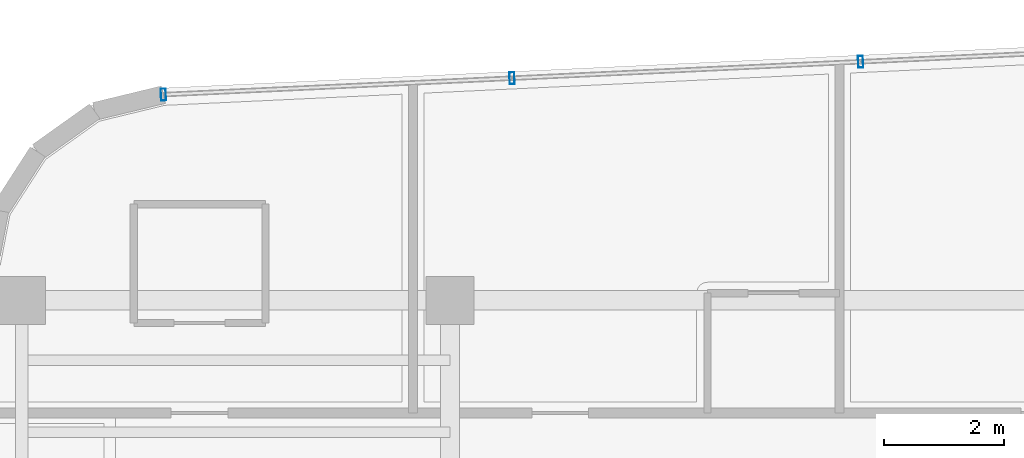
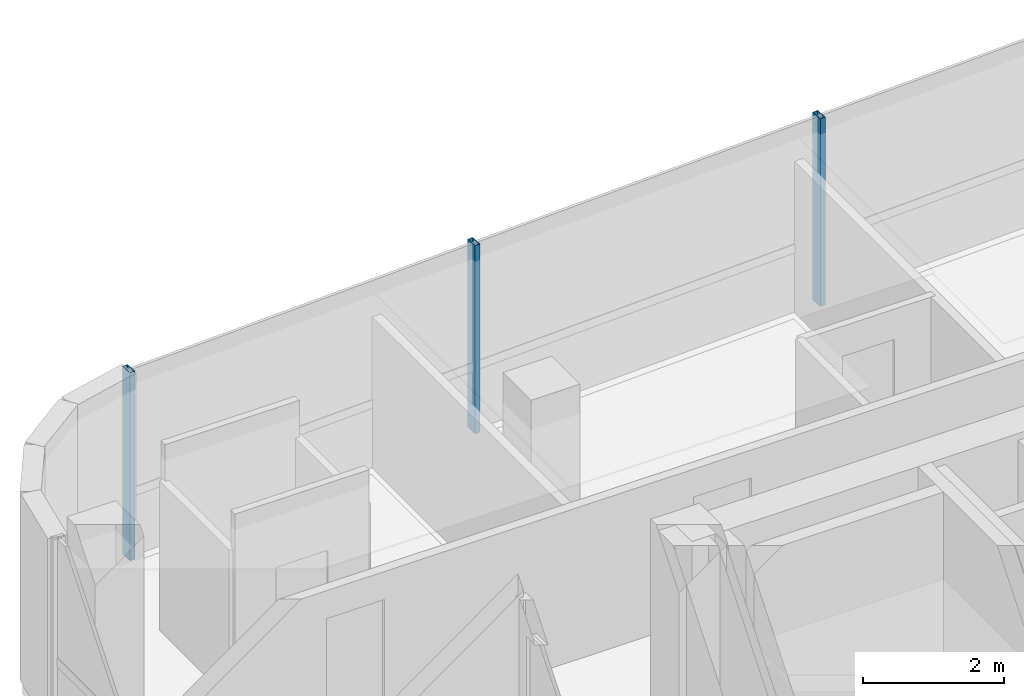
# One storey, part 10 of 19: 3 members, 1 element without a shape of its own.
"""IFC4 building model written with IfcOpenShell, lengths in metres."""

from ifc_helpers import new_model, si_unit, direction, frame, origin, origin_2d, place, context, subcontext, project, spatial, hollow_rectangle, extrude, source, transform, mapped, material, material_profile, profile_set, type_object, element, aggregate, save


model = new_model("IFC4")

# Units and contexts
model_context = context("Model", 3, precision=1e-05, world=origin(), true_north=direction((0.0, 1.0)))
body_context = subcontext(model_context, "Body", "Model", "MODEL_VIEW")
ifc_project = project(units=[si_unit("LENGTHUNIT", "METRE"), si_unit("AREAUNIT", "SQUARE_METRE"), si_unit("VOLUMEUNIT", "CUBIC_METRE"), si_unit("PLANEANGLEUNIT", "RADIAN"), si_unit("MASSUNIT", "GRAM", prefix="KILO")], contexts=[model_context])

# Site, building, storey
site_placement = place(None, origin())
site = spatial("IfcSite", under=ifc_project, at=site_placement, CompositionType="ELEMENT")
building_placement = place(site_placement, origin())
building = spatial("IfcBuilding", under=site, at=building_placement, Name="Valdorenza Pilgrim Sanctuary Tower", CompositionType="ELEMENT")
storey_placement = place(building_placement, frame((0.0, 0.0, 269.5)))
storey = spatial("IfcBuildingStorey", under=building, at=storey_placement, Name="L70", CompositionType="ELEMENT", Elevation=269.5)

# Curtain wall, members
ifc_material_1 = material(Name="Curtain-wall IGU glazing", Category="glass")
curtain_wall_type = type_object("IfcCurtainWallType", Name="CW-SYS-02", PredefinedType="NOTDEFINED", material=ifc_material_1)
curtain_wall_placement = place(storey_placement, origin())
curtain_wall = element("IfcCurtainWall", 1, at=curtain_wall_placement, inside=storey, type_object=curtain_wall_type, Name="L70 Curtain Wall CW-L70-1-6", PredefinedType="NOTDEFINED")
ifc_material_2 = material(Name="Anodised aluminium AW-6060", Category="aluminium")
ifc_material_profile = material_profile(ifc_material_2, hollow_rectangle(XDim=0.0849609375, YDim=0.199951171875, WallThickness=0.0048828125, at=origin_2d()), Name="ALU-M 200x85x5")
ifc_profile_set = profile_set([ifc_material_profile], Name="Anodised aluminium AW-6060")
member_type = type_object("IfcMemberType", Name="CW-MUL-02", PredefinedType="MULLION", material=ifc_profile_set)
shared_shape = source(origin(), body_context, "Body", "SweptSolid", [
    extrude(hollow_rectangle(XDim=0.0849609375, YDim=0.199951171875, WallThickness=0.0048828125, at=origin_2d()), origin(), (0.0, 0.0, 1.0), 3.260009765625),
])
member_1_placement = place(storey_placement, frame((-27.43505859375, 18.234375, 0.0), z_axis=(0.0, 0.0, 1.0), x_axis=(0.998890696972, 0.047089016785, 0.0)))
member_1 = element("IfcMember", 2, at=member_1_placement, type_object=member_type, Name="CW-L70-1-6 Mullion 1", PredefinedType="MULLION", context=body_context, shape_type="MappedRepresentation", body=[
    mapped(shared_shape, transform((0.0, 0.0, 0.0), x_axis=(1.0, 0.0, 0.0), y_axis=(0.0, 1.0, 0.0), z_axis=(0.0, 0.0, 1.0), scale=1.0)),
])
member_2_placement = place(storey_placement, frame((-21.615478515625, 18.5087890625, 0.0), z_axis=(0.0, 0.0, 1.0), x_axis=(0.998890696972, 0.047089016785, 0.0)))
member_2 = element("IfcMember", 3, at=member_2_placement, type_object=member_type, Name="CW-L70-1-6 Mullion 2", PredefinedType="MULLION", context=body_context, shape_type="MappedRepresentation", body=[
    mapped(shared_shape, transform((0.0, 0.0, 0.0), x_axis=(1.0, 0.0, 0.0), y_axis=(0.0, 1.0, 0.0), z_axis=(0.0, 0.0, 1.0), scale=1.0)),
])
member_3_placement = place(storey_placement, frame((-15.7958984375, 18.782958984375, 0.0), z_axis=(0.0, 0.0, 1.0), x_axis=(0.998890696972, 0.047089016785, 0.0)))
member_3 = element("IfcMember", 4, at=member_3_placement, type_object=member_type, Name="CW-L70-1-6 Mullion 3", PredefinedType="MULLION", context=body_context, shape_type="MappedRepresentation", body=[
    mapped(shared_shape, transform((0.0, 0.0, 0.0), x_axis=(1.0, 0.0, 0.0), y_axis=(0.0, 1.0, 0.0), z_axis=(0.0, 0.0, 1.0), scale=1.0)),
])
aggregate(curtain_wall, [member_1, member_2, member_3])

save(model, "model.ifc")
